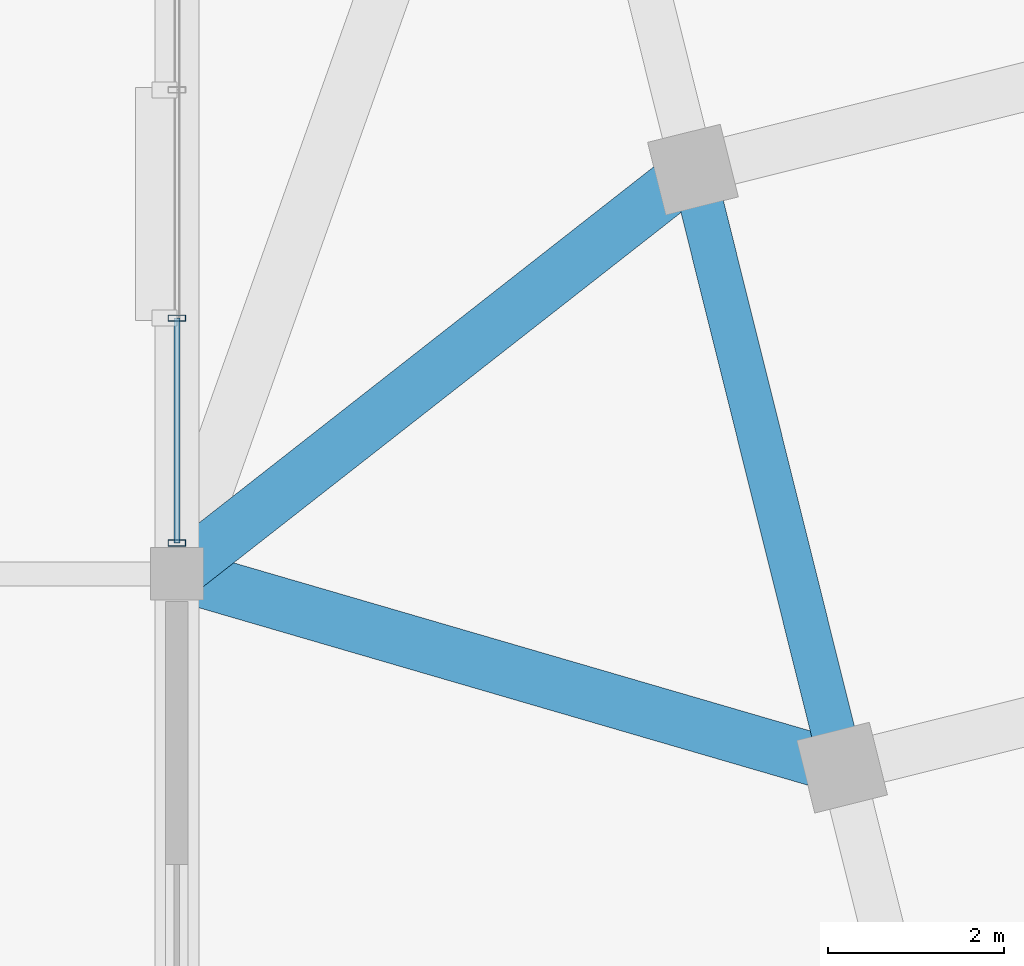
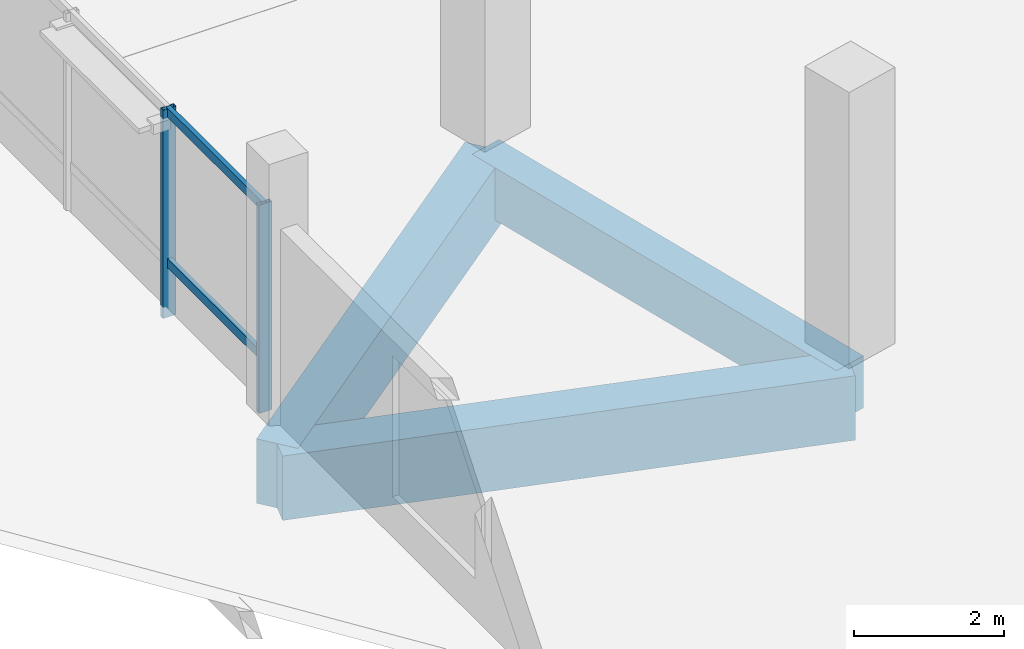
# One storey, part 18 of 77: 4 members, 3 beams, 1 element without a shape of its own.
"""IFC4 building model written with IfcOpenShell, lengths in metres."""

from ifc_helpers import new_model, si_unit, direction, frame, origin, origin_2d, place, context, subcontext, project, spatial, rectangle, hollow_rectangle, extrude, material, layer, layer_set, material_profile, profile_set, type_object, element, aggregate, save


model = new_model("IFC4")

# Units and contexts
model_context = context("Model", 3, precision=1e-05, world=origin(), true_north=direction((0.0, 1.0)))
body_context = subcontext(model_context, "Body", "Model", "MODEL_VIEW")
ifc_project = project(units=[si_unit("LENGTHUNIT", "METRE"), si_unit("AREAUNIT", "SQUARE_METRE"), si_unit("VOLUMEUNIT", "CUBIC_METRE"), si_unit("PLANEANGLEUNIT", "RADIAN"), si_unit("MASSUNIT", "GRAM", prefix="KILO")], contexts=[model_context])

# Site, building, storey
site_placement = place(None, origin())
site = spatial("IfcSite", under=ifc_project, at=site_placement, CompositionType="ELEMENT")
building_placement = place(site_placement, origin())
building = spatial("IfcBuilding", under=site, at=building_placement, Name="Meriwether Solvik Hall", CompositionType="ELEMENT")
storey_placement = place(building_placement, frame((0.0, 0.0, 9.89990234375)))
storey = spatial("IfcBuildingStorey", under=building, at=storey_placement, Name="L02", CompositionType="ELEMENT", Elevation=9.89990234375)

# Beams
ifc_material_1 = material(Name="Concrete C40/50", Category="concrete")
ifc_material_profile_1 = material_profile(ifc_material_1, rectangle(XDim=0.5, YDim=0.85009765625, at=origin_2d()), Name="RCB-500X850")
ifc_profile_set_1 = profile_set([ifc_material_profile_1], Name="Concrete C40/50")
beam_type_1 = type_object("IfcBeamType", Name="BM-RC-500X850", PredefinedType="BEAM", material=ifc_profile_set_1)
beam_1_placement = place(storey_placement, frame((66.954833984375, 47.798095703125, -0.7548828125), z_axis=(-0.241911879182, 0.970298223594, 0.0), x_axis=(-0.970298223594, -0.241911879182, 0.0)))
element("IfcBeam", 1, at=beam_1_placement, inside=storey, type_object=beam_type_1, Name="Tower Girder T1:TB-TC (L02)", PredefinedType="BEAM", context=body_context, shape_type="SweptSolid", body=[
    extrude(rectangle(XDim=0.5, YDim=0.85009765625, at=origin_2d()), origin(), (0.0, 0.0, 1.0), 7.0),
])
ifc_material_2 = material(Name="Concrete C40/50", Category="concrete")
ifc_material_profile_2 = material_profile(ifc_material_2, rectangle(XDim=0.60009765625, YDim=1.050048828125, at=origin_2d()), Name="RCB-600X1050")
ifc_profile_set_2 = profile_set([ifc_material_profile_2], Name="Concrete C40/50")
beam_type_2 = type_object("IfcBeamType", Name="BM-RC-600X1050", PredefinedType="BEAM", material=ifc_profile_set_2)
beam_2_placement = place(storey_placement, frame((66.954833984375, 47.798095703125, -0.85498046875), z_axis=(-0.960055229861, 0.279810570952, 0.0), x_axis=(-0.279810570952, -0.960055229861, 0.0)))
element("IfcBeam", 2, at=beam_2_placement, inside=storey, type_object=beam_type_2, Name="Diaphragm Collector Girder T1/TB-7/F (L02)", PredefinedType="BEAM", context=body_context, shape_type="SweptSolid", body=[
    extrude(rectangle(XDim=0.60009765625, YDim=1.050048828125, at=origin_2d()), origin(), (0.0, 0.0, 1.0), 7.869384765625),
])
beam_3_placement = place(storey_placement, frame((65.261474609375, 54.590087890625, -0.85498046875), z_axis=(-0.787324356442, -0.616539015597, 0.0), x_axis=(0.616539015597, -0.787324356442, 0.0)))
element("IfcBeam", 3, at=beam_3_placement, inside=storey, type_object=beam_type_2, Name="Diaphragm Collector Girder T1/TC-7/F (L02)", PredefinedType="BEAM", context=body_context, shape_type="SweptSolid", body=[
    extrude(rectangle(XDim=0.60009765625, YDim=1.050048828125, at=origin_2d()), origin(), (0.0, 0.0, 1.0), 7.44482421875),
])

# Curtain wall, members
ifc_material_3 = material(Name="Thermally Broken Anodised Aluminium 6063-T6 and Low-E Glass", Category="aluminium")
ifc_layer = layer(ifc_material_3, 0.179931640625)
ifc_layer_set = layer_set([ifc_layer], Name="Thermally Broken Anodised Aluminium 6063-T6 and Low-E Glass")
curtain_wall_type = type_object("IfcCurtainWallType", Name="CW-SF-POD-C", PredefinedType="USERDEFINED", material=ifc_layer_set)
curtain_wall_placement = place(storey_placement, origin())
curtain_wall = element("IfcCurtainWall", 4, at=curtain_wall_placement, inside=storey, type_object=curtain_wall_type, Name="Curtain Wall wing_Y7_6_29 (L02)", ObjectType="STICK STOREFRONT GLAZING", PredefinedType="USERDEFINED")
ifc_material_4 = material(Name="Anodised Aluminium 6063-T6", Category="aluminium")
ifc_material_profile_3 = material_profile(ifc_material_4, hollow_rectangle(XDim=0.070068359375, YDim=0.199951171875, WallThickness=0.0048828125, at=origin_2d()), Name="CWM-70X200")
ifc_profile_set_3 = profile_set([ifc_material_profile_3], Name="Anodised Aluminium 6063-T6")
member_type_1 = type_object("IfcMemberType", Name="CW-MUL-70X200", PredefinedType="MULLION", material=ifc_profile_set_3)
member_1_placement = place(storey_placement, frame((59.39990234375, 50.35009765625, 0.0), z_axis=(0.0, 0.0, 1.0), x_axis=(0.0, 1.0, 0.0)))
member_1 = element("IfcMember", 5, at=member_1_placement, type_object=member_type_1, Name="Curtain Wall Mullion 1", PredefinedType="MULLION", context=body_context, shape_type="SweptSolid", body=[
    extrude(hollow_rectangle(XDim=0.070068359375, YDim=0.199951171875, WallThickness=0.0048828125, at=origin_2d()), origin(), (0.0, 0.0, 1.0), 3.39501953125),
])
member_2_placement = place(storey_placement, frame((59.39990234375, 52.904052734375, 0.0), z_axis=(0.0, 0.0, 1.0), x_axis=(0.0, 1.0, 0.0)))
member_2 = element("IfcMember", 6, at=member_2_placement, type_object=member_type_1, Name="Curtain Wall Mullion 2", PredefinedType="MULLION", context=body_context, shape_type="SweptSolid", body=[
    extrude(hollow_rectangle(XDim=0.070068359375, YDim=0.199951171875, WallThickness=0.0048828125, at=origin_2d()), origin(), (0.0, 0.0, 1.0), 3.39501953125),
])
ifc_material_5 = material(Name="Anodised Aluminium 6063-T6", Category="aluminium")
ifc_material_profile_4 = material_profile(ifc_material_5, hollow_rectangle(XDim=0.070068359375, YDim=0.14990234375, WallThickness=0.0048828125, at=origin_2d()), Name="CWT-70X150")
ifc_profile_set_4 = profile_set([ifc_material_profile_4], Name="Anodised Aluminium 6063-T6")
member_type_2 = type_object("IfcMemberType", Name="CW-TRN-70X150", PredefinedType="USERDEFINED", material=ifc_profile_set_4)
member_3_placement = place(storey_placement, frame((59.39990234375, 50.35009765625, 0.880126953125), z_axis=(0.0, 1.0, 0.0), x_axis=(-1.0, 0.0, 0.0)))
member_3 = element("IfcMember", 7, at=member_3_placement, type_object=member_type_2, Name="Curtain Wall Transom 1-sill", ObjectType="TRANSOM", PredefinedType="USERDEFINED", context=body_context, shape_type="SweptSolid", body=[
    extrude(hollow_rectangle(XDim=0.070068359375, YDim=0.14990234375, WallThickness=0.0048828125, at=origin_2d()), origin(), (0.0, 0.0, 1.0), 2.553955078125),
])
member_4_placement = place(storey_placement, frame((59.39990234375, 50.35009765625, 3.335205078125), z_axis=(0.0, 1.0, 0.0), x_axis=(-1.0, 0.0, 0.0)))
member_4 = element("IfcMember", 8, at=member_4_placement, type_object=member_type_2, Name="Curtain Wall Transom 1-head", ObjectType="TRANSOM", PredefinedType="USERDEFINED", context=body_context, shape_type="SweptSolid", body=[
    extrude(hollow_rectangle(XDim=0.070068359375, YDim=0.14990234375, WallThickness=0.0048828125, at=origin_2d()), origin(), (0.0, 0.0, 1.0), 2.553955078125),
])
aggregate(curtain_wall, [member_1, member_2, member_3, member_4])

save(model, "model.ifc")
